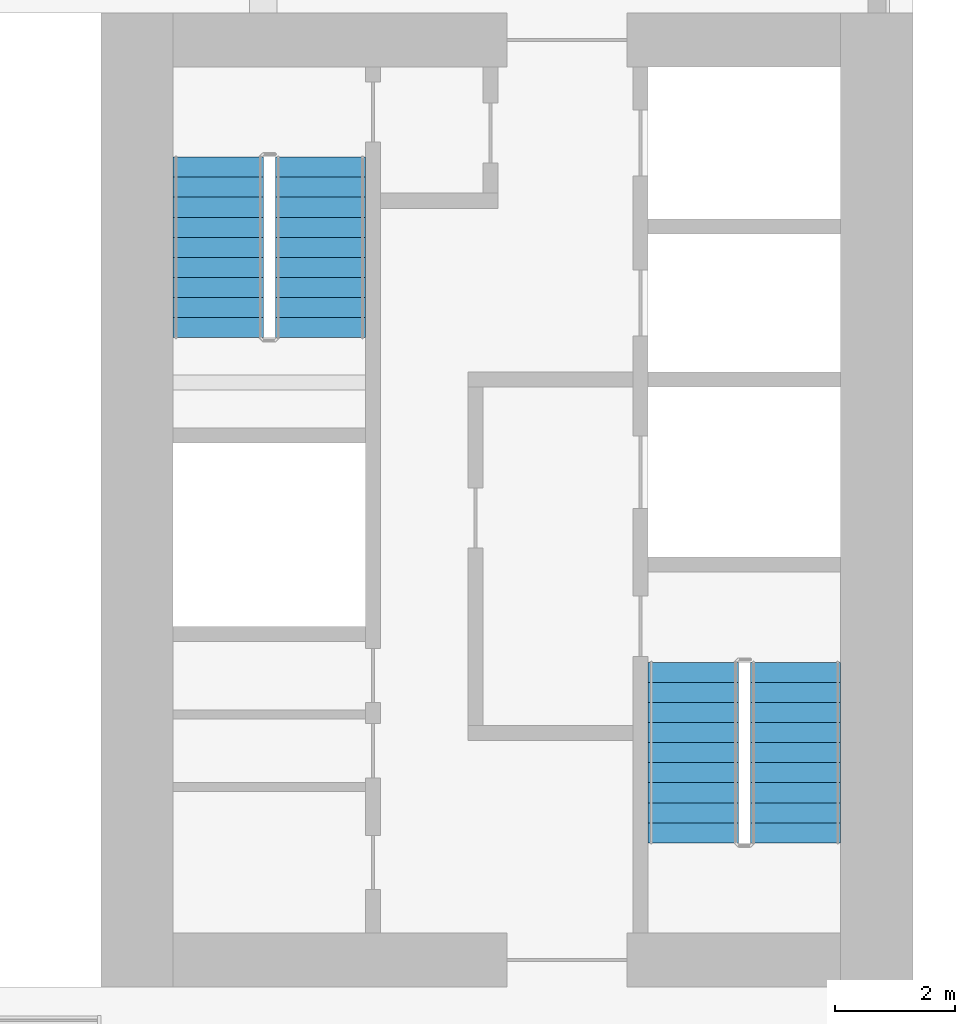
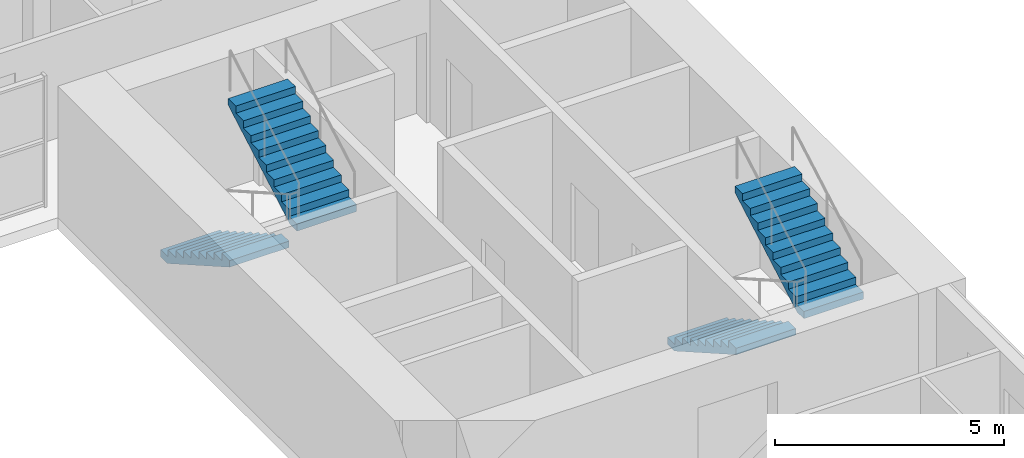
# One storey, part 10 of 13: 4 stair flights, 2 elements without a shape of their own.
"""IFC4 building model written with IfcOpenShell, lengths in metres."""

import ifcopenshell
import ifcopenshell.guid

model = None  # the IFC model being written
_history = None  # IfcOwnerHistory: only IFC2X3 demands one
_inside = {}  # id of a spatial element -> (the spatial element, [elements in it])
_under = {}  # id of a project, library or spatial element -> (it, [spatial elements below it])
_declared = {}  # id of a project -> (the project, [libraries it declares])
_typed = {}  # id of a type object -> (the type object, [elements of that type])
_made_of = {}  # id of a material, layer set ... -> (it, [elements and type objects made of it])


def new_model(schema):
    """Start an empty IFC model of exactly this schema.

    Asked for "IFC4X3", IfcOpenShell would pick the latest addendum, in which some entities
    have other attributes; the version numbers below select the first issue.
    IFC2X3 requires an IfcOwnerHistory on every rooted entity: one is made here for all.
    """
    global model, _history
    if schema == "IFC4X3":
        model = ifcopenshell.file(schema_version=(4, 3, 0, 0))
    else:
        model = ifcopenshell.file(schema=schema)
    _inside.clear()
    _under.clear()
    _declared.clear()
    _typed.clear()
    _made_of.clear()
    _history = None
    if model.schema == "IFC2X3":
        org = make("IfcOrganization", Name="unknown")
        user = make(
            "IfcPersonAndOrganization",
            ThePerson=make("IfcPerson", FamilyName="unknown"),
            TheOrganization=org,
        )
        app = make(
            "IfcApplication",
            ApplicationDeveloper=org,
            Version="unknown",
            ApplicationFullName="unknown",
            ApplicationIdentifier="unknown",
        )
        _history = make(
            "IfcOwnerHistory",
            OwningUser=user,
            OwningApplication=app,
            ChangeAction="ADDED",
            CreationDate=0,
        )
    return model


def make(cls, **values):
    """One entity of the class cls with the attributes given. An attribute that is None is left unset."""
    return model.create_entity(
        cls, **{name: value for name, value in values.items() if value is not None}
    )


def rooted(cls, **values):
    """An entity with a GlobalId (a new one), such as an element, a storey or a relation."""
    return make(cls, GlobalId=ifcopenshell.guid.new(), OwnerHistory=_history, **values)


def si_unit(unit_type, name, prefix=None):
    """IfcSIUnit, for example si_unit("LENGTHUNIT", "METRE", prefix="MILLI")."""
    return make("IfcSIUnit", UnitType=unit_type, Prefix=prefix, Name=name)


def assignment(units):
    """IfcUnitAssignment: the units of a project."""
    return None if units is None else make("IfcUnitAssignment", Units=units)


def point(xyz):
    """IfcCartesianPoint."""
    return None if xyz is None else make("IfcCartesianPoint", Coordinates=xyz)


def direction(xyz):
    """IfcDirection."""
    return None if xyz is None else make("IfcDirection", DirectionRatios=xyz)


def frame(location, z_axis=None, x_axis=None):
    """IfcAxis2Placement3D, a coordinate frame: its origin and axes. An axis left out is left unset."""
    return make(
        "IfcAxis2Placement3D",
        Location=point(location),
        Axis=direction(z_axis),
        RefDirection=direction(x_axis),
    )


def origin():
    """The frame at (0, 0, 0) with its axes left unset."""
    return frame((0.0, 0.0, 0.0))


def place(relative_to, where):
    """IfcLocalPlacement: puts the frame where relative to a parent placement (None: the world)."""
    return make(
        "IfcLocalPlacement", PlacementRelTo=relative_to, RelativePlacement=where
    )


def context(
    kind, dimensions, precision=None, world=None, true_north=None, identifier=None
):
    """IfcGeometricRepresentationContext, for example the 3D "Model" context."""
    return make(
        "IfcGeometricRepresentationContext",
        ContextIdentifier=identifier,
        ContextType=kind,
        CoordinateSpaceDimension=dimensions,
        Precision=precision,
        WorldCoordinateSystem=world,
        TrueNorth=true_north,
    )


def subcontext(parent, identifier, kind, view, scale=None):
    """IfcGeometricRepresentationSubContext, for example "Body" below "Model"."""
    return make(
        "IfcGeometricRepresentationSubContext",
        ContextIdentifier=identifier,
        ContextType=kind,
        ParentContext=parent,
        TargetScale=scale,
        TargetView=view,
    )


def project(units=None, contexts=None):
    """IfcProject with its units and contexts."""
    return rooted(
        "IfcProject",
        Name="project",
        RepresentationContexts=contexts,
        UnitsInContext=assignment(units),
    )


def spatial(cls, under=None, at=None, **own):
    """A site, building, storey or space (cls), placed at a placement, below another one or the project."""
    s = rooted(cls, ObjectPlacement=at, **own)
    if under is not None:
        _under.setdefault(under.id(), (under, []))[1].append(s)
    return s


def polyline(points):
    """IfcPolyline through the points."""
    return make("IfcPolyline", Points=[point(p) for p in points])


def outline(outer, holes=None, kind="AREA"):
    """IfcArbitraryClosedProfileDef: a profile drawn as a closed curve; with holes, ...WithVoids."""
    if holes is None:
        return make("IfcArbitraryClosedProfileDef", ProfileType=kind, OuterCurve=outer)
    return make(
        "IfcArbitraryProfileDefWithVoids",
        ProfileType=kind,
        OuterCurve=outer,
        InnerCurves=holes,
    )


def extrude(swept, where, along, depth):
    """IfcExtrudedAreaSolid: the profile swept, set in the frame where, extruded along a direction by depth."""
    return make(
        "IfcExtrudedAreaSolid",
        SweptArea=swept,
        Position=where,
        ExtrudedDirection=direction(along),
        Depth=depth,
    )


def shape(context_of_items, identifier, shape_type, items):
    """IfcShapeRepresentation: the items that make up one representation, for example the "Body"."""
    return make(
        "IfcShapeRepresentation",
        ContextOfItems=context_of_items,
        RepresentationIdentifier=identifier,
        RepresentationType=shape_type,
        Items=items,
    )


def material(Name=None, Category=None):
    """IfcMaterial."""
    return make("IfcMaterial", Name=Name, Category=Category)


def made_of(thing, what):
    """Note that an element or type object is made of a material, layer set ...; save() writes the relation."""
    if what is not None:
        _made_of.setdefault(what.id(), (what, []))[1].append(thing)
    return thing


def type_object(cls, material=None, **own):
    """A type object (cls), such as IfcWallType, which elements share."""
    return made_of(rooted(cls, **own), material)


def element(
    cls,
    number,
    at=None,
    inside=None,
    cuts=None,
    type_object=None,
    material=None,
    context=None,
    identifier="Body",
    shape_type=None,
    held_by="IfcProductDefinitionShape",
    body=None,
    shapes=None,
    **own,
):
    """One element of the class cls, such as IfcWall. Its Tag is "e" and its number.

    at: its placement. inside: the storey or other place that contains it. cuts: it is an
    opening in that element (IfcRelVoidsElement). A single representation is given by context,
    identifier, shape_type and body (its items); several are given by shapes. held_by: the class
    of the entity that holds the representations. save() writes the other relations.
    """
    e = rooted(cls, Tag="e%d" % number, ObjectPlacement=at, **own)
    if body is not None:
        shapes = [shape(context, identifier, shape_type, body)]
    if shapes is not None:
        e.Representation = make(held_by, Representations=shapes)
    if inside is not None:
        _inside.setdefault(inside.id(), (inside, []))[1].append(e)
    if cuts is not None:
        rooted(
            "IfcRelVoidsElement", RelatingBuildingElement=cuts, RelatedOpeningElement=e
        )
    if type_object is not None:
        _typed.setdefault(type_object.id(), (type_object, []))[1].append(e)
    return made_of(e, material)


def aggregate(whole, parts):
    """IfcRelAggregates: a whole, such as a stair, and the parts it consists of."""
    return rooted("IfcRelAggregates", RelatingObject=whole, RelatedObjects=parts)


def save(model, path):
    """Write the relations noted so far, then the file.

    IfcRelAggregates (storeys below a building ...), IfcRelContainedInSpatialStructure (elements
    in a storey), IfcRelDefinesByType, IfcRelAssociatesMaterial and IfcRelDeclares: one each for
    every whole, place, type object, material and project.
    """
    for whole, parts in _under.values():
        aggregate(whole, parts)
    for where, things in _inside.values():
        rooted(
            "IfcRelContainedInSpatialStructure",
            RelatedElements=things,
            RelatingStructure=where,
        )
    for kind, things in _typed.values():
        rooted("IfcRelDefinesByType", RelatedObjects=things, RelatingType=kind)
    for what, things in _made_of.values():
        rooted("IfcRelAssociatesMaterial", RelatedObjects=things, RelatingMaterial=what)
    for by, libraries in _declared.values():
        rooted("IfcRelDeclares", RelatingContext=by, RelatedDefinitions=libraries)
    model.write(path)


model = new_model("IFC4")

# Units and contexts
model_context = context("Model", 3, precision=1e-05, world=origin(), true_north=direction((0.0, 1.0)))
body_context = subcontext(model_context, "Body", "Model", "MODEL_VIEW")
ifc_project = project(units=[si_unit("LENGTHUNIT", "METRE"), si_unit("AREAUNIT", "SQUARE_METRE"), si_unit("VOLUMEUNIT", "CUBIC_METRE"), si_unit("PLANEANGLEUNIT", "RADIAN"), si_unit("MASSUNIT", "GRAM", prefix="KILO")], contexts=[model_context])

# Site, building, storey
site_placement = place(None, origin())
site = spatial("IfcSite", under=ifc_project, at=site_placement, CompositionType="ELEMENT")
building_placement = place(site_placement, origin())
building = spatial("IfcBuilding", under=site, at=building_placement, Name="Tabaq Tower and Sports Hall", CompositionType="ELEMENT")
storey_placement = place(building_placement, frame((0.0, 0.0, 110.60009765625)))
storey = spatial("IfcBuildingStorey", under=building, at=storey_placement, Name="L26", CompositionType="ELEMENT", Elevation=110.60009765625)

# Stair, stair flights
ifc_material_1 = material(Name="Concrete C40/50", Category="concrete")
stair_type = type_object("IfcStairType", Name="Exit stair", PredefinedType="HALF_TURN_STAIR", material=ifc_material_1)
stair_1_placement = place(storey_placement, origin())
stair_1 = element("IfcStair", 1, at=stair_1_placement, inside=storey, type_object=stair_type, Name="L26 Exit stair ST3", PredefinedType="HALF_TURN_STAIR")
ifc_material_2 = material(Name="Concrete C40/50", Category="concrete")
stair_flight_type = type_object("IfcStairFlightType", Name="Exit stair flight", PredefinedType="STRAIGHT", material=ifc_material_2)
stair_flight_1_placement = place(storey_placement, frame((39.550048828125, 21.60009765625, 0.0), z_axis=(0.0, 0.0, 1.0), x_axis=(0.0, -1.0, 0.0)))
stair_flight_1 = element("IfcStairFlight", 2, at=stair_flight_1_placement, type_object=stair_flight_type, Name="ST3 flight 1", NumberOfRisers=10, NumberOfTreads=9, PredefinedType="STRAIGHT", RiserHeight=0.19, TreadLength=0.333333333, context=body_context, shape_type="SweptSolid", body=[
    extrude(outline(polyline([(0.0, 0.0), (0.0, 0.18994140625), (0.333251953125, 0.18994140625), (0.333251953125, 0.3798828125), (0.666748046875, 0.3798828125), (0.666748046875, 0.570068359375), (1.0, 0.570068359375), (1.0, 0.760009765625), (1.333251953125, 0.760009765625), (1.333251953125, 0.949951171875), (1.666748046875, 0.949951171875), (1.666748046875, 1.139892578125), (2.0, 1.139892578125), (2.0, 1.330078125), (2.333251953125, 1.330078125), (2.333251953125, 1.52001953125), (2.666748046875, 1.52001953125), (2.666748046875, 1.7099609375), (3.0, 1.7099609375), (3.0, 1.89990234375), (3.0, 1.537353515625), (0.302734375, 0.0), (0.0, 0.0)])), frame((0.0, 0.75, 0.0), z_axis=(0.0, -1.0, 0.0), x_axis=(1.0, 0.0, 0.0)), (0.0, 0.0, 1.0), 1.5),
])
stair_flight_2_placement = place(storey_placement, frame((41.25, 18.60009765625, 1.89990234375), z_axis=(0.0, 0.0, 1.0), x_axis=(0.0, 1.0, 0.0)))
stair_flight_2 = element("IfcStairFlight", 3, at=stair_flight_2_placement, type_object=stair_flight_type, Name="ST3 flight 2", NumberOfRisers=10, NumberOfTreads=9, PredefinedType="STRAIGHT", RiserHeight=0.19, TreadLength=0.333333333, context=body_context, shape_type="SweptSolid", body=[
    extrude(outline(polyline([(0.0, 0.0), (0.0, 0.18994140625), (0.333251953125, 0.18994140625), (0.333251953125, 0.3798828125), (0.666748046875, 0.3798828125), (0.666748046875, 0.570068359375), (1.0, 0.570068359375), (1.0, 0.760009765625), (1.333251953125, 0.760009765625), (1.333251953125, 0.949951171875), (1.666748046875, 0.949951171875), (1.666748046875, 1.139892578125), (2.0, 1.139892578125), (2.0, 1.330078125), (2.333251953125, 1.330078125), (2.333251953125, 1.52001953125), (2.666748046875, 1.52001953125), (2.666748046875, 1.7099609375), (3.0, 1.7099609375), (3.0, 1.89990234375), (3.0, 1.537353515625), (0.302734375, 0.0), (0.0, 0.0)])), frame((0.0, 0.75, 0.0), z_axis=(0.0, -1.0, 0.0), x_axis=(1.0, 0.0, 0.0)), (0.0, 0.0, 1.0), 1.5),
])
aggregate(stair_1, [stair_flight_1, stair_flight_2])

stair_2_placement = place(storey_placement, origin())
stair_2 = element("IfcStair", 4, at=stair_2_placement, inside=storey, type_object=stair_type, Name="L26 Exit stair ST4", PredefinedType="HALF_TURN_STAIR")
stair_flight_3_placement = place(storey_placement, frame((31.64990234375, 30.0, 0.0), z_axis=(0.0, 0.0, 1.0), x_axis=(0.0, -1.0, 0.0)))
stair_flight_3 = element("IfcStairFlight", 5, at=stair_flight_3_placement, type_object=stair_flight_type, Name="ST4 flight 1", NumberOfRisers=10, NumberOfTreads=9, PredefinedType="STRAIGHT", RiserHeight=0.19, TreadLength=0.333333333, context=body_context, shape_type="SweptSolid", body=[
    extrude(outline(polyline([(0.0, 0.0), (0.0, 0.18994140625), (0.333251953125, 0.18994140625), (0.333251953125, 0.3798828125), (0.666748046875, 0.3798828125), (0.666748046875, 0.570068359375), (1.0, 0.570068359375), (1.0, 0.760009765625), (1.333251953125, 0.760009765625), (1.333251953125, 0.949951171875), (1.666748046875, 0.949951171875), (1.666748046875, 1.139892578125), (2.0, 1.139892578125), (2.0, 1.330078125), (2.333251953125, 1.330078125), (2.333251953125, 1.52001953125), (2.666748046875, 1.52001953125), (2.666748046875, 1.7099609375), (3.0, 1.7099609375), (3.0, 1.89990234375), (3.0, 1.537353515625), (0.302734375, 0.0), (0.0, 0.0)])), frame((0.0, 0.75, 0.0), z_axis=(0.0, -1.0, 0.0), x_axis=(1.0, 0.0, 0.0)), (0.0, 0.0, 1.0), 1.5),
])
stair_flight_4_placement = place(storey_placement, frame((33.35009765625, 27.0, 1.89990234375), z_axis=(0.0, 0.0, 1.0), x_axis=(0.0, 1.0, 0.0)))
stair_flight_4 = element("IfcStairFlight", 6, at=stair_flight_4_placement, type_object=stair_flight_type, Name="ST4 flight 2", NumberOfRisers=10, NumberOfTreads=9, PredefinedType="STRAIGHT", RiserHeight=0.19, TreadLength=0.333333333, context=body_context, shape_type="SweptSolid", body=[
    extrude(outline(polyline([(0.0, 0.0), (0.0, 0.18994140625), (0.333251953125, 0.18994140625), (0.333251953125, 0.3798828125), (0.666748046875, 0.3798828125), (0.666748046875, 0.570068359375), (1.0, 0.570068359375), (1.0, 0.760009765625), (1.333251953125, 0.760009765625), (1.333251953125, 0.949951171875), (1.666748046875, 0.949951171875), (1.666748046875, 1.139892578125), (2.0, 1.139892578125), (2.0, 1.330078125), (2.333251953125, 1.330078125), (2.333251953125, 1.52001953125), (2.666748046875, 1.52001953125), (2.666748046875, 1.7099609375), (3.0, 1.7099609375), (3.0, 1.89990234375), (3.0, 1.537353515625), (0.302734375, 0.0), (0.0, 0.0)])), frame((0.0, 0.75, 0.0), z_axis=(0.0, -1.0, 0.0), x_axis=(1.0, 0.0, 0.0)), (0.0, 0.0, 1.0), 1.5),
])
aggregate(stair_2, [stair_flight_3, stair_flight_4])

save(model, "model.ifc")
